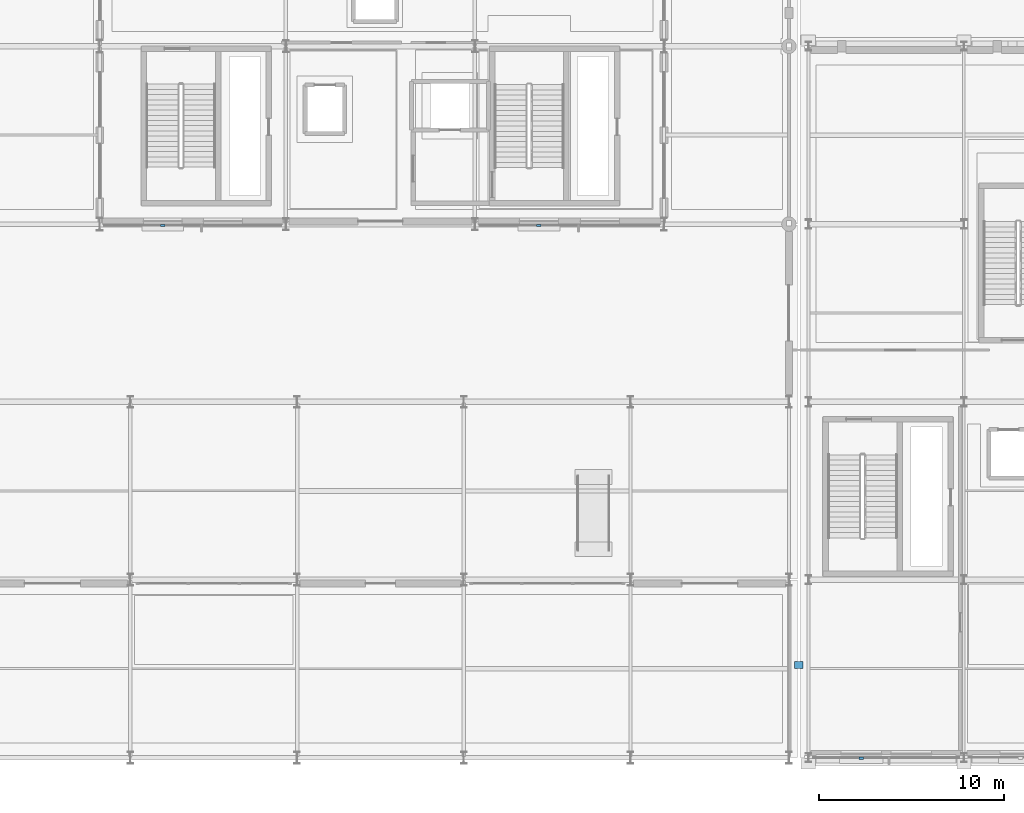
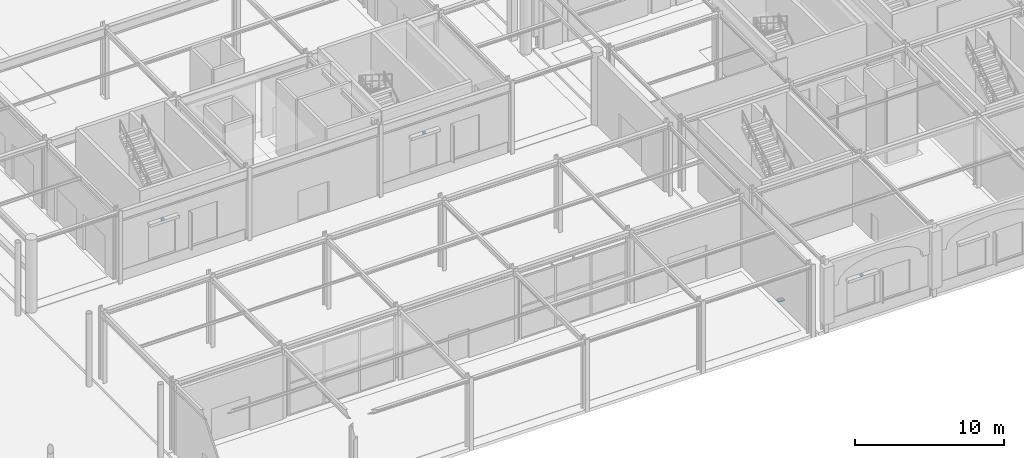
# One storey, part 73 of 113: 4 discrete accessories.
"""IFC4 building model written with IfcOpenShell, lengths in metres."""

from ifc_helpers import new_model, si_unit, direction, frame, origin, origin_2d, place, context, subcontext, project, spatial, rectangle, extrude, material, type_object, element, save


model = new_model("IFC4")

# Units and contexts
model_context = context("Model", 3, precision=1e-05, world=origin(), true_north=direction((0.0, 1.0)))
body_context = subcontext(model_context, "Body", "Model", "MODEL_VIEW")
ifc_project = project(units=[si_unit("LENGTHUNIT", "METRE"), si_unit("AREAUNIT", "SQUARE_METRE"), si_unit("VOLUMEUNIT", "CUBIC_METRE"), si_unit("PLANEANGLEUNIT", "RADIAN"), si_unit("MASSUNIT", "GRAM", prefix="KILO")], contexts=[model_context])

# Site, building, storey
site_placement = place(None, origin())
site = spatial("IfcSite", under=ifc_project, at=site_placement, CompositionType="ELEMENT")
building_placement = place(site_placement, origin())
building = spatial("IfcBuilding", under=site, at=building_placement, Name="Myrtia Square Station", CompositionType="ELEMENT")
storey_placement = place(building_placement, origin())
storey = spatial("IfcBuildingStorey", under=building, at=storey_placement, Name="L00", CompositionType="ELEMENT", Elevation=0.0)

# Discrete accessories
ifc_material = material(Name="Steel S355", Category="steel")
discrete_accessory_type_1 = type_object("IfcDiscreteAccessoryType", Name="ACC-BRACKET-BRONZE", PredefinedType="BRACKET", material=ifc_material)
for number, where, z_axis, x_axis, name in (
    (1, (82.751953125, 28.719970703125, 3.8798828125), (0.0, 0.0, 1.0), (1.0, 0.0, 0.0), "Solar shading fixing bracket 001"),
    (2, (103.052001953125, 28.719970703125, 3.8798828125), (0.0, 0.0, 1.0), (1.0, 0.0, 0.0), "Solar shading fixing bracket 003"),
    (3, (120.451904296875, -0.030029296875, 3.5302734375), (0.0, 0.0, 1.0), (1.0, 0.0, 0.0), "Solar shading fixing bracket 005"),
):
    element("IfcDiscreteAccessory", number, at=place(storey_placement, frame(where, z_axis=z_axis, x_axis=x_axis)), inside=storey, type_object=discrete_accessory_type_1, Name=name, PredefinedType="BRACKET", context=body_context, shape_type="SweptSolid", body=[
        extrude(rectangle(XDim=0.239990234375, YDim=0.1201171875, at=origin_2d()), origin(), (0.0, 0.0, 1.0), 0.139892578125),
    ])
discrete_accessory_type_2 = type_object("IfcDiscreteAccessoryType", Name="ACC-PTFE-BEARING", PredefinedType="USERDEFINED", material=ifc_material)
discrete_accessory_placement = place(storey_placement, frame((117.074951171875, 5.0, -0.3544921875), z_axis=(0.0, 0.0, 1.0), x_axis=(1.0, 0.0, 0.0)))
element("IfcDiscreteAccessory", 4, at=discrete_accessory_placement, inside=storey, type_object=discrete_accessory_type_2, Name="Seismic movement-joint passage sliding bearing SB-01-06", ObjectType="SLIDING BEARING", PredefinedType="USERDEFINED", context=body_context, shape_type="SweptSolid", body=[
    extrude(rectangle(XDim=0.449951171875, YDim=0.3798828125, at=origin_2d()), origin(), (0.0, 0.0, 1.0), 0.0849609375),
])

save(model, "model.ifc")
